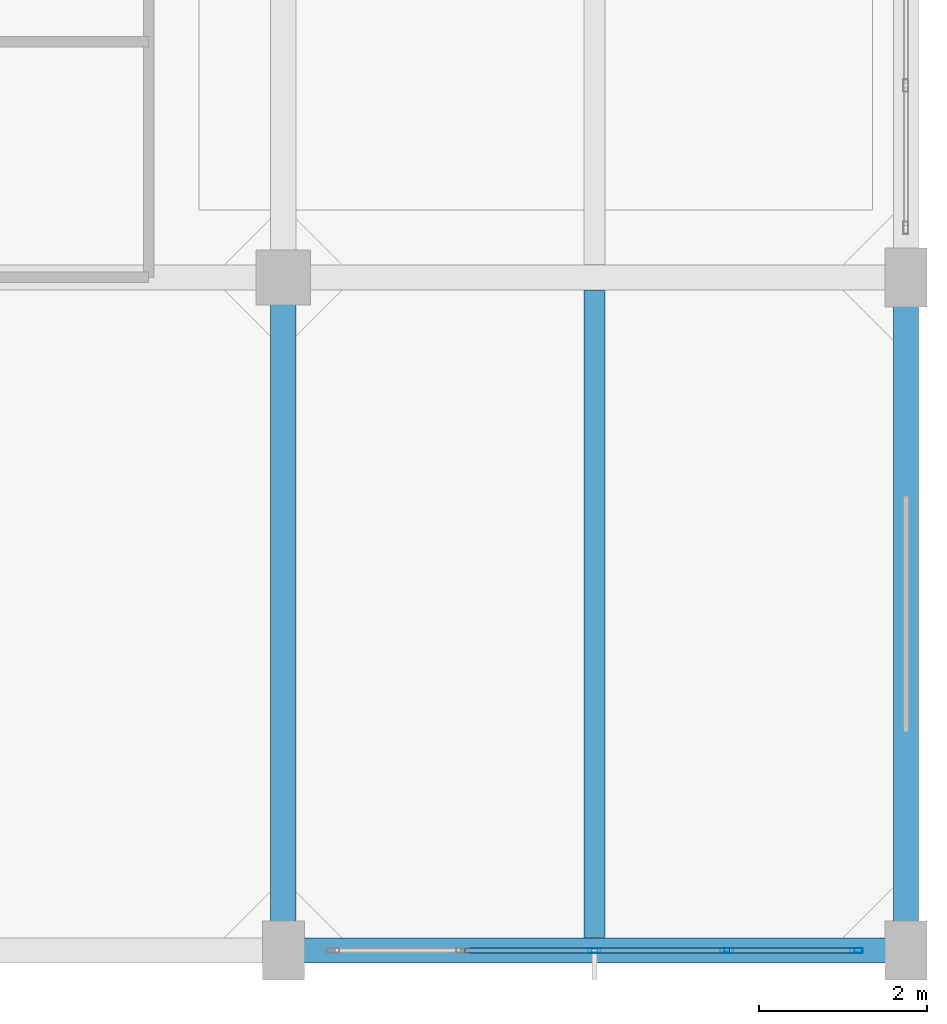
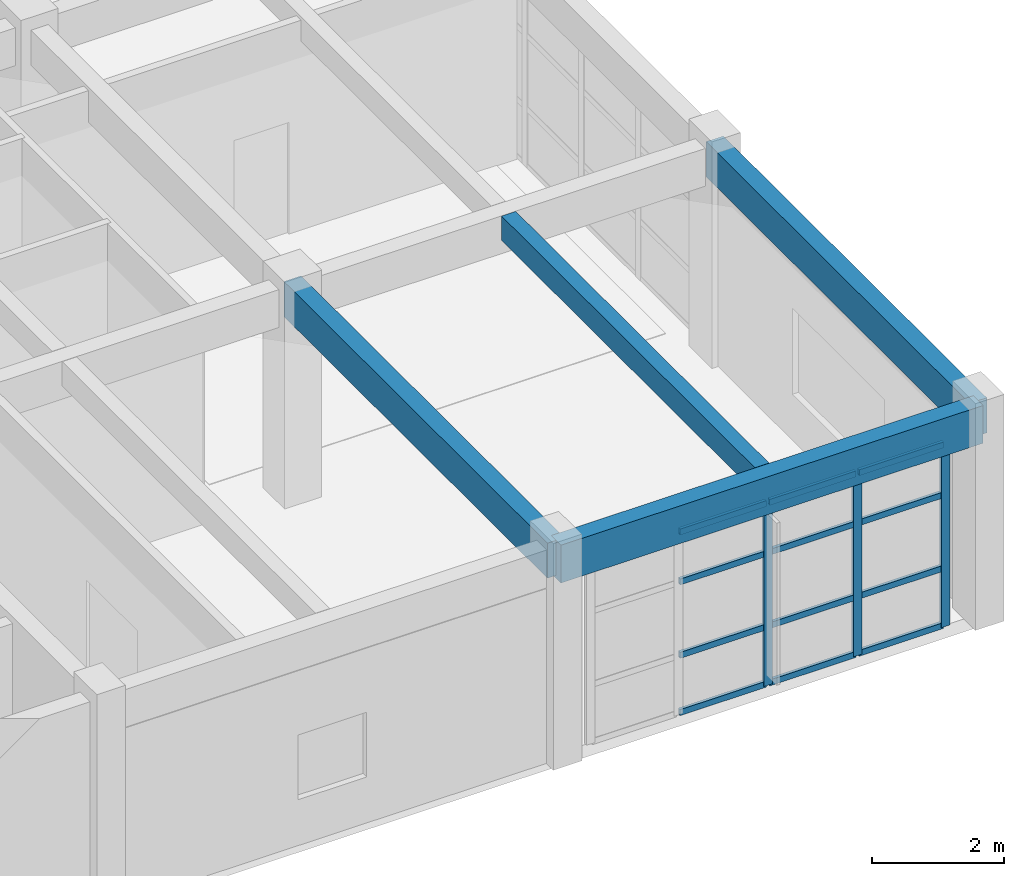
# One storey, part 6 of 18: 15 members, 4 beams, 1 element without a shape of its own.
"""IFC4 building model written with IfcOpenShell, lengths in metres."""

from ifc_helpers import new_model, si_unit, direction, frame, origin, origin_2d, place, context, subcontext, project, spatial, rectangle, hollow_rectangle, extrude, material, layer, layer_set, material_profile, profile_set, type_object, element, aggregate, save


model = new_model("IFC4")

# Units and contexts
model_context = context("Model", 3, precision=1e-05, world=origin(), true_north=direction((0.0, 1.0)))
body_context = subcontext(model_context, "Body", "Model", "MODEL_VIEW")
ifc_project = project(units=[si_unit("LENGTHUNIT", "METRE"), si_unit("AREAUNIT", "SQUARE_METRE"), si_unit("VOLUMEUNIT", "CUBIC_METRE"), si_unit("PLANEANGLEUNIT", "RADIAN"), si_unit("MASSUNIT", "GRAM", prefix="KILO")], contexts=[model_context])

# Site, building, storey
site_placement = place(None, origin())
site = spatial("IfcSite", under=ifc_project, at=site_placement, CompositionType="ELEMENT")
building_placement = place(site_placement, origin())
building = spatial("IfcBuilding", under=site, at=building_placement, Name="Canggui Botanical Conservatory", CompositionType="ELEMENT")
storey_placement = place(building_placement, frame((0.0, 0.0, 61.199951171875)))
storey = spatial("IfcBuildingStorey", under=building, at=storey_placement, Name="L15", CompositionType="ELEMENT", Elevation=61.199951171875)

# Beams
ifc_material_1 = material(Name="Concrete C35", Category="concrete")
ifc_material_profile_1 = material_profile(ifc_material_1, rectangle(XDim=0.25, YDim=0.449951171875, at=origin_2d()), Name="RB 250x450")
ifc_profile_set_1 = profile_set([ifc_material_profile_1], Name="Concrete C35")
beam_type_1 = type_object("IfcBeamType", Name="BM-JST05", PredefinedType="JOIST", material=ifc_profile_set_1)
beam_1_placement = place(storey_placement, frame((173.699951171875, 42.155029296875, 3.735107421875), z_axis=(0.0, 1.0, 0.0), x_axis=(-1.0, 0.0, 0.0)))
element("IfcBeam", 1, at=beam_1_placement, inside=storey, type_object=beam_type_1, Name="Secondary Floor Joist L15-4-1", PredefinedType="JOIST", context=body_context, shape_type="SweptSolid", body=[
    extrude(rectangle(XDim=0.25, YDim=0.449951171875, at=origin_2d()), origin(), (0.0, 0.0, 1.0), 7.68994140625),
])
ifc_material_profile_2 = material_profile(ifc_material_1, rectangle(XDim=0.300048828125, YDim=0.699951171875, at=origin_2d()), Name="RB 300x700")
ifc_profile_set_2 = profile_set([ifc_material_profile_2], Name="Concrete C35")
beam_type_2 = type_object("IfcBeamType", Name="BM-KL21", PredefinedType="BEAM", material=ifc_profile_set_2)
beam_2_placement = place(storey_placement, frame((170.0, 42.0, 3.610107421875), z_axis=(1.0, 0.0, 0.0), x_axis=(0.0, 1.0, 0.0)))
element("IfcBeam", 2, at=beam_2_placement, inside=storey, type_object=beam_type_2, Name="Frame Girder L15 Y42-4", PredefinedType="BEAM", context=body_context, shape_type="SweptSolid", body=[
    extrude(rectangle(XDim=0.300048828125, YDim=0.699951171875, at=origin_2d()), origin(), (0.0, 0.0, 1.0), 7.39990234375),
])
ifc_material_profile_3 = material_profile(ifc_material_1, rectangle(XDim=0.300048828125, YDim=0.64990234375, at=origin_2d()), Name="RB 300x650")
ifc_profile_set_3 = profile_set([ifc_material_profile_3], Name="Concrete C35")
beam_type_3 = type_object("IfcBeamType", Name="BM-KL22", PredefinedType="BEAM", material=ifc_profile_set_3)
for number, where, z_axis, x_axis, name in (
    (3, (170.0, 42.0, 3.635009765625), (0.0, 1.0, 0.0), (-1.0, 0.0, 0.0), "Frame Girder L15 X170-1"),
    (4, (177.39990234375, 42.0, 3.635009765625), (0.0, 1.0, 0.0), (-1.0, 0.0, 0.0), "Frame Girder L15 X178-1"),
):
    element("IfcBeam", number, at=place(storey_placement, frame(where, z_axis=z_axis, x_axis=x_axis)), inside=storey, type_object=beam_type_3, Name=name, PredefinedType="BEAM", context=body_context, shape_type="SweptSolid", body=[
        extrude(rectangle(XDim=0.300048828125, YDim=0.64990234375, at=origin_2d()), origin(), (0.0, 0.0, 1.0), 8.0),
    ])

# Curtain wall, members
ifc_material_2 = material(Name="Thermally Broken Aluminium", Category="aluminium")
ifc_layer = layer(ifc_material_2, 0.14990234375, Name="Thermally Broken Aluminium", Category="aluminium")
ifc_layer_set = layer_set([ifc_layer], Name="Thermally Broken Aluminium")
curtain_wall_type = type_object("IfcCurtainWallType", Name="CW-UNIT-C", PredefinedType="USERDEFINED", material=ifc_layer_set)
curtain_wall_placement = place(storey_placement, origin())
curtain_wall = element("IfcCurtainWall", 5, at=curtain_wall_placement, inside=storey, type_object=curtain_wall_type, Name="Facade Curtain Wall CW-TWR-L15-01", ObjectType="UNITISED CURTAIN WALL", PredefinedType="USERDEFINED")
ifc_material_profile_4 = material_profile(ifc_material_2, hollow_rectangle(XDim=0.06005859375, YDim=0.14990234375, WallThickness=0.00341796875, at=origin_2d()), Name="CWM 60x150x3.5")
ifc_profile_set_4 = profile_set([ifc_material_profile_4], Name="Thermally Broken Aluminium")
member_type_1 = type_object("IfcMemberType", Name="CWM-03", PredefinedType="MULLION", material=ifc_profile_set_4)
member_1_placement = place(storey_placement, frame((176.81005859375, 42.0, 0.0), z_axis=(0.0, 0.0, 1.0), x_axis=(0.0, -1.0, 0.0)))
member_1 = element("IfcMember", 6, at=member_1_placement, type_object=member_type_1, Name="CW-03 mullion 1", PredefinedType="MULLION", context=body_context, shape_type="SweptSolid", body=[
    extrude(hollow_rectangle(XDim=0.06005859375, YDim=0.14990234375, WallThickness=0.00341796875, at=origin_2d()), origin(), (0.0, 0.0, 1.0), 3.400146484375),
])
member_2_placement = place(storey_placement, frame((175.27001953125, 42.0, 0.0), z_axis=(0.0, 0.0, 1.0), x_axis=(0.0, -1.0, 0.0)))
member_2 = element("IfcMember", 7, at=member_2_placement, type_object=member_type_1, Name="CW-03 mullion 2", PredefinedType="MULLION", context=body_context, shape_type="SweptSolid", body=[
    extrude(hollow_rectangle(XDim=0.06005859375, YDim=0.14990234375, WallThickness=0.00341796875, at=origin_2d()), origin(), (0.0, 0.0, 1.0), 3.400146484375),
])
member_3_placement = place(storey_placement, frame((173.699951171875, 42.0, 0.0), z_axis=(0.0, 0.0, 1.0), x_axis=(0.0, -1.0, 0.0)))
member_3 = element("IfcMember", 8, at=member_3_placement, type_object=member_type_1, Name="CW-03 mullion 3", PredefinedType="MULLION", context=body_context, shape_type="SweptSolid", body=[
    extrude(hollow_rectangle(XDim=0.06005859375, YDim=0.14990234375, WallThickness=0.00341796875, at=origin_2d()), origin(), (0.0, 0.0, 1.0), 3.400146484375),
])
ifc_material_profile_5 = material_profile(ifc_material_2, hollow_rectangle(XDim=0.054931640625, YDim=0.110107421875, WallThickness=0.0029296875, at=origin_2d()), Name="CWT 55x110x3")
ifc_profile_set_5 = profile_set([ifc_material_profile_5], Name="Thermally Broken Aluminium")
member_type_2 = type_object("IfcMemberType", Name="CWT-03", PredefinedType="USERDEFINED", material=ifc_profile_set_5)
member_4_placement = place(storey_placement, frame((176.780029296875, 42.0, 0.027587890625), z_axis=(-1.0, 0.0, 0.0), x_axis=(0.0, -1.0, 0.0)))
member_4 = element("IfcMember", 9, at=member_4_placement, type_object=member_type_2, Name="CW-03 transom 1.1", ObjectType="TRANSOM", PredefinedType="USERDEFINED", context=body_context, shape_type="SweptSolid", body=[
    extrude(hollow_rectangle(XDim=0.054931640625, YDim=0.110107421875, WallThickness=0.0029296875, at=origin_2d()), origin(), (0.0, 0.0, 1.0), 1.47998046875),
])
member_5_placement = place(storey_placement, frame((176.780029296875, 42.0, 1.088134765625), z_axis=(-1.0, 0.0, 0.0), x_axis=(0.0, -1.0, 0.0)))
member_5 = element("IfcMember", 10, at=member_5_placement, type_object=member_type_2, Name="CW-03 transom 1.2", ObjectType="TRANSOM", PredefinedType="USERDEFINED", context=body_context, shape_type="SweptSolid", body=[
    extrude(hollow_rectangle(XDim=0.054931640625, YDim=0.110107421875, WallThickness=0.0029296875, at=origin_2d()), origin(), (0.0, 0.0, 1.0), 1.47998046875),
])
member_6_placement = place(storey_placement, frame((176.780029296875, 42.0, 2.447998046875), z_axis=(-1.0, 0.0, 0.0), x_axis=(0.0, -1.0, 0.0)))
member_6 = element("IfcMember", 11, at=member_6_placement, type_object=member_type_2, Name="CW-03 transom 1.3", ObjectType="TRANSOM", PredefinedType="USERDEFINED", context=body_context, shape_type="SweptSolid", body=[
    extrude(hollow_rectangle(XDim=0.054931640625, YDim=0.110107421875, WallThickness=0.0029296875, at=origin_2d()), origin(), (0.0, 0.0, 1.0), 1.47998046875),
])
member_7_placement = place(storey_placement, frame((176.780029296875, 42.0, 3.37255859375), z_axis=(-1.0, 0.0, 0.0), x_axis=(0.0, -1.0, 0.0)))
member_7 = element("IfcMember", 12, at=member_7_placement, type_object=member_type_2, Name="CW-03 transom 1.4", ObjectType="TRANSOM", PredefinedType="USERDEFINED", context=body_context, shape_type="SweptSolid", body=[
    extrude(hollow_rectangle(XDim=0.054931640625, YDim=0.110107421875, WallThickness=0.0029296875, at=origin_2d()), origin(), (0.0, 0.0, 1.0), 1.47998046875),
])
member_8_placement = place(storey_placement, frame((175.239990234375, 42.0, 0.027587890625), z_axis=(-1.0, 0.0, 0.0), x_axis=(0.0, -1.0, 0.0)))
member_8 = element("IfcMember", 13, at=member_8_placement, type_object=member_type_2, Name="CW-03 transom 2.1", ObjectType="TRANSOM", PredefinedType="USERDEFINED", context=body_context, shape_type="SweptSolid", body=[
    extrude(hollow_rectangle(XDim=0.054931640625, YDim=0.110107421875, WallThickness=0.0029296875, at=origin_2d()), origin(), (0.0, 0.0, 1.0), 1.510009765625),
])
member_9_placement = place(storey_placement, frame((175.239990234375, 42.0, 1.088134765625), z_axis=(-1.0, 0.0, 0.0), x_axis=(0.0, -1.0, 0.0)))
member_9 = element("IfcMember", 14, at=member_9_placement, type_object=member_type_2, Name="CW-03 transom 2.2", ObjectType="TRANSOM", PredefinedType="USERDEFINED", context=body_context, shape_type="SweptSolid", body=[
    extrude(hollow_rectangle(XDim=0.054931640625, YDim=0.110107421875, WallThickness=0.0029296875, at=origin_2d()), origin(), (0.0, 0.0, 1.0), 1.510009765625),
])
member_10_placement = place(storey_placement, frame((175.239990234375, 42.0, 2.447998046875), z_axis=(-1.0, 0.0, 0.0), x_axis=(0.0, -1.0, 0.0)))
member_10 = element("IfcMember", 15, at=member_10_placement, type_object=member_type_2, Name="CW-03 transom 2.3", ObjectType="TRANSOM", PredefinedType="USERDEFINED", context=body_context, shape_type="SweptSolid", body=[
    extrude(hollow_rectangle(XDim=0.054931640625, YDim=0.110107421875, WallThickness=0.0029296875, at=origin_2d()), origin(), (0.0, 0.0, 1.0), 1.510009765625),
])
member_11_placement = place(storey_placement, frame((175.239990234375, 42.0, 3.37255859375), z_axis=(-1.0, 0.0, 0.0), x_axis=(0.0, -1.0, 0.0)))
member_11 = element("IfcMember", 16, at=member_11_placement, type_object=member_type_2, Name="CW-03 transom 2.4", ObjectType="TRANSOM", PredefinedType="USERDEFINED", context=body_context, shape_type="SweptSolid", body=[
    extrude(hollow_rectangle(XDim=0.054931640625, YDim=0.110107421875, WallThickness=0.0029296875, at=origin_2d()), origin(), (0.0, 0.0, 1.0), 1.510009765625),
])
member_12_placement = place(storey_placement, frame((173.669921875, 42.0, 0.027587890625), z_axis=(-1.0, 0.0, 0.0), x_axis=(0.0, -1.0, 0.0)))
member_12 = element("IfcMember", 17, at=member_12_placement, type_object=member_type_2, Name="CW-03 transom 3.1", ObjectType="TRANSOM", PredefinedType="USERDEFINED", context=body_context, shape_type="SweptSolid", body=[
    extrude(hollow_rectangle(XDim=0.054931640625, YDim=0.110107421875, WallThickness=0.0029296875, at=origin_2d()), origin(), (0.0, 0.0, 1.0), 1.510009765625),
])
member_13_placement = place(storey_placement, frame((173.669921875, 42.0, 1.088134765625), z_axis=(-1.0, 0.0, 0.0), x_axis=(0.0, -1.0, 0.0)))
member_13 = element("IfcMember", 18, at=member_13_placement, type_object=member_type_2, Name="CW-03 transom 3.2", ObjectType="TRANSOM", PredefinedType="USERDEFINED", context=body_context, shape_type="SweptSolid", body=[
    extrude(hollow_rectangle(XDim=0.054931640625, YDim=0.110107421875, WallThickness=0.0029296875, at=origin_2d()), origin(), (0.0, 0.0, 1.0), 1.510009765625),
])
member_14_placement = place(storey_placement, frame((173.669921875, 42.0, 2.447998046875), z_axis=(-1.0, 0.0, 0.0), x_axis=(0.0, -1.0, 0.0)))
member_14 = element("IfcMember", 19, at=member_14_placement, type_object=member_type_2, Name="CW-03 transom 3.3", ObjectType="TRANSOM", PredefinedType="USERDEFINED", context=body_context, shape_type="SweptSolid", body=[
    extrude(hollow_rectangle(XDim=0.054931640625, YDim=0.110107421875, WallThickness=0.0029296875, at=origin_2d()), origin(), (0.0, 0.0, 1.0), 1.510009765625),
])
member_15_placement = place(storey_placement, frame((173.669921875, 42.0, 3.37255859375), z_axis=(-1.0, 0.0, 0.0), x_axis=(0.0, -1.0, 0.0)))
member_15 = element("IfcMember", 20, at=member_15_placement, type_object=member_type_2, Name="CW-03 transom 3.4", ObjectType="TRANSOM", PredefinedType="USERDEFINED", context=body_context, shape_type="SweptSolid", body=[
    extrude(hollow_rectangle(XDim=0.054931640625, YDim=0.110107421875, WallThickness=0.0029296875, at=origin_2d()), origin(), (0.0, 0.0, 1.0), 1.510009765625),
])
aggregate(curtain_wall, [member_1, member_2, member_3, member_4, member_5, member_6, member_7, member_8, member_9, member_10, member_11, member_12, member_13, member_14, member_15])

save(model, "model.ifc")
